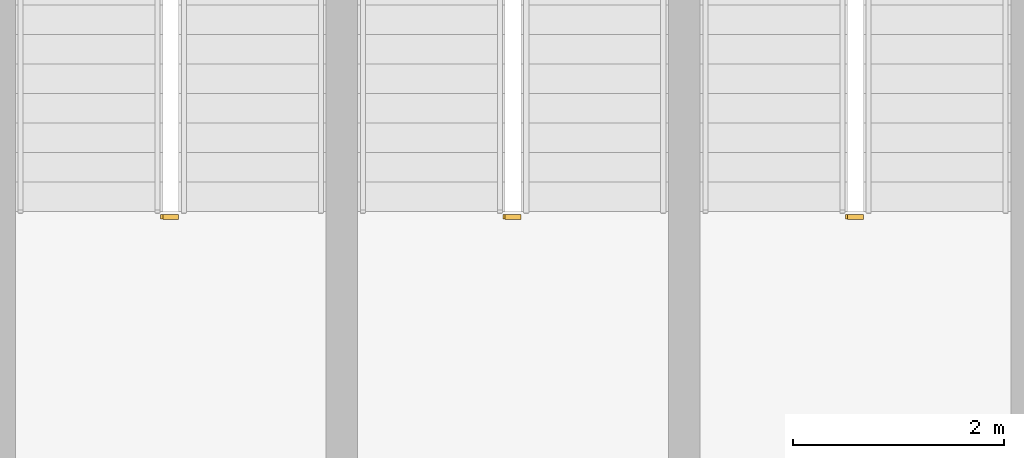
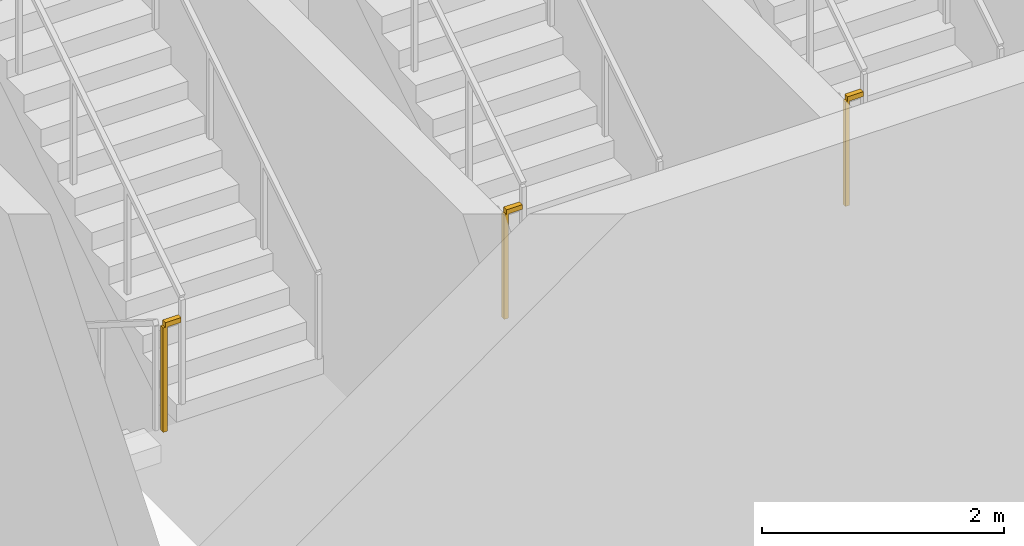
# One storey, part 33 of 74: 3 railings.
"""IFC4 building model written with IfcOpenShell, lengths in metres."""

from ifc_helpers import new_model, si_unit, direction, frame, origin, origin_2d, place, context, subcontext, project, spatial, rectangle, extrude, material, type_object, element, save


model = new_model("IFC4")

# Units and contexts
model_context = context("Model", 3, precision=1e-05, world=origin(), true_north=direction((0.0, 1.0)))
body_context = subcontext(model_context, "Body", "Model", "MODEL_VIEW")
ifc_project = project(units=[si_unit("LENGTHUNIT", "METRE"), si_unit("AREAUNIT", "SQUARE_METRE"), si_unit("VOLUMEUNIT", "CUBIC_METRE"), si_unit("PLANEANGLEUNIT", "RADIAN"), si_unit("MASSUNIT", "GRAM", prefix="KILO")], contexts=[model_context])

# Site, building, storey
site_placement = place(None, origin())
site = spatial("IfcSite", under=ifc_project, at=site_placement, CompositionType="ELEMENT")
building_placement = place(site_placement, origin())
building = spatial("IfcBuilding", under=site, at=building_placement, Name="Noorbagh Ring Tower", CompositionType="ELEMENT")
storey_placement = place(building_placement, frame((0.0, 0.0, 13.5)))
storey = spatial("IfcBuildingStorey", under=building, at=storey_placement, Name="L02", CompositionType="ELEMENT", Elevation=13.5)

# Railings
ifc_material = material(Name="Stainless steel", Category="steel")
railing_type = type_object("IfcRailingType", Name="TH-STAIR-GUARD", PredefinedType="GUARDRAIL", material=ifc_material)
for number, where, name in (
    (1, (-123.449951171875, 21.719970703125, 3.0), "L02 TSN1 stair guard 2"),
    (2, (-120.199951171875, 21.719970703125, 3.0), "L02 TSN2 stair guard 2"),
    (3, (-126.699951171875, 21.719970703125, 3.0), "L02 TSN3 stair guard 2"),
):
    element("IfcRailing", number, at=place(storey_placement, frame(where)), inside=storey, type_object=railing_type, Name=name, PredefinedType="GUARDRAIL", context=body_context, shape_type="SweptSolid", body=[
        extrude(rectangle(XDim=0.048095703125, YDim=0.048095703125, at=origin_2d()), frame((0.0, 0.0, 1.076171875), z_axis=(1.0, 0.0, 0.0), x_axis=(0.0, 1.0, 0.0)), (0.0, 0.0, 1.0), 0.14990234375),
        extrude(rectangle(XDim=0.0419921875, YDim=0.0419921875, at=origin_2d()), origin(), (0.0, 0.0, 1.0), 1.052001953125),
    ])

save(model, "model.ifc")
